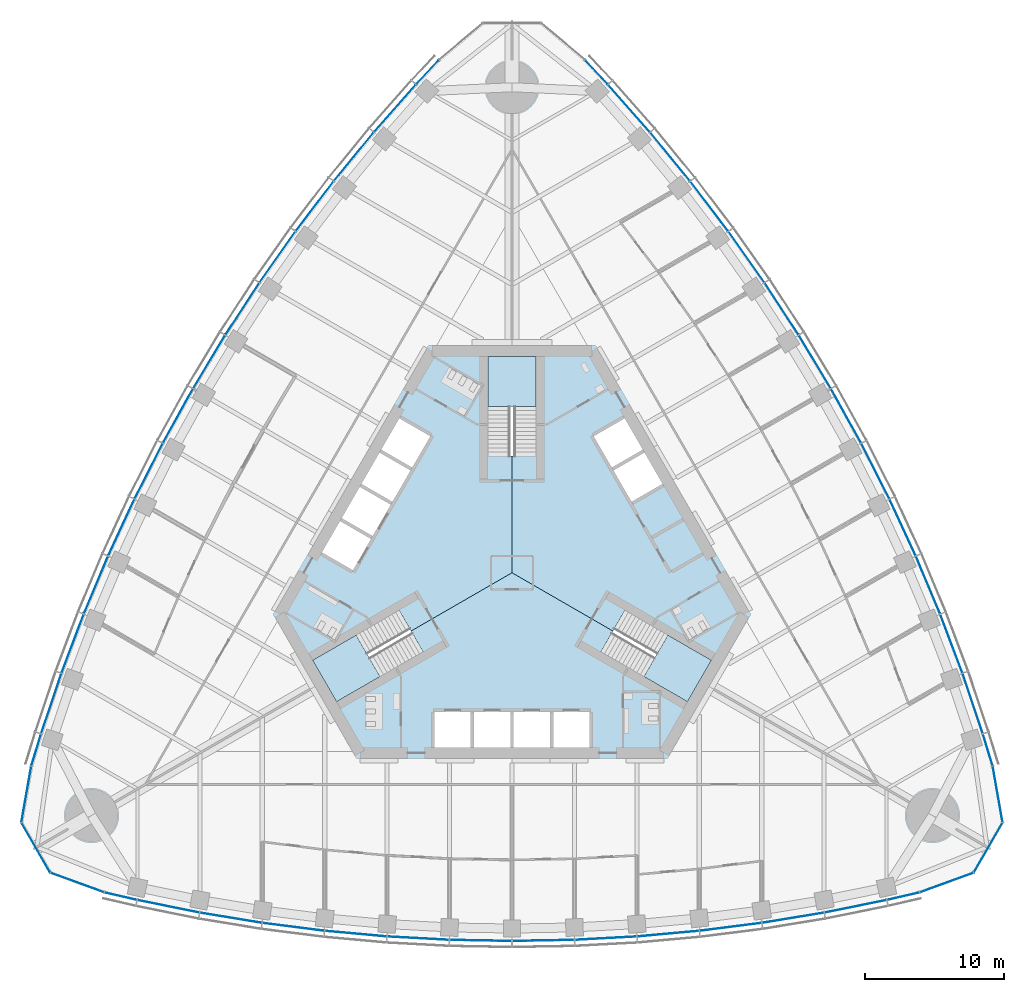
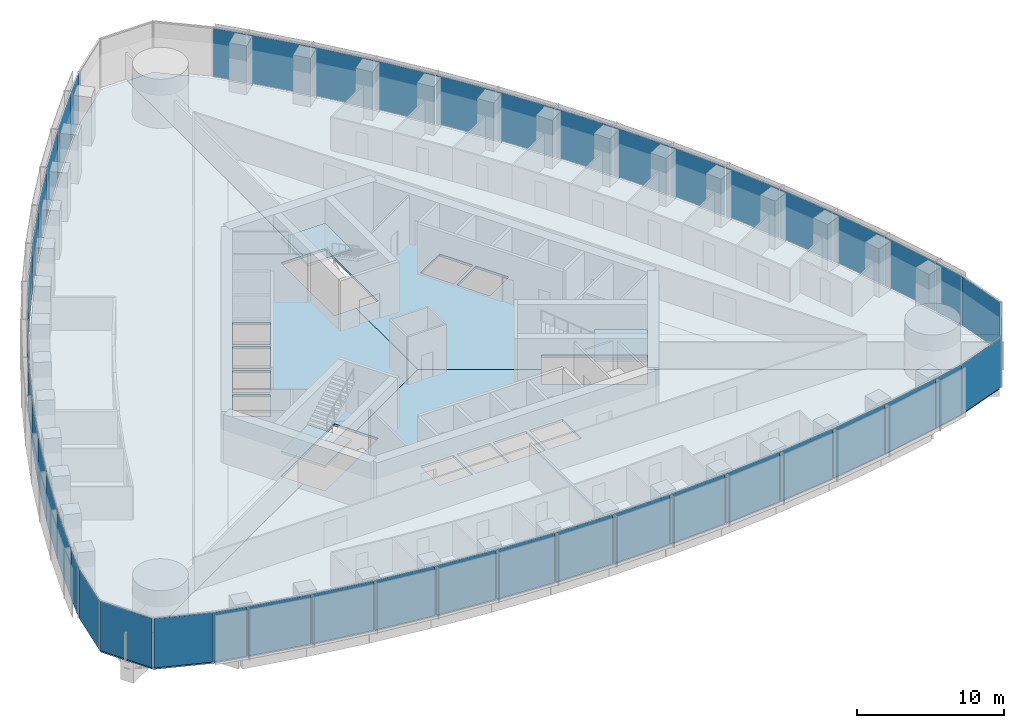
# One storey, part 10 of 21: 48 plates, 6 slabs, 8 elements without a shape of their own.
"""IFC4 building model written with IfcOpenShell, lengths in metres."""

from ifc_helpers import new_model, si_unit, direction, frame, origin, origin_2d, place, context, subcontext, project, spatial, polyline, rectangle, outline, extrude, material, layer, layer_set, type_object, element, aggregate, save


model = new_model("IFC4")

# Units and contexts
model_context = context("Model", 3, precision=1e-05, world=origin(), true_north=direction((0.0, 1.0)))
body_context = subcontext(model_context, "Body", "Model", "MODEL_VIEW")
ifc_project = project(units=[si_unit("LENGTHUNIT", "METRE"), si_unit("AREAUNIT", "SQUARE_METRE"), si_unit("VOLUMEUNIT", "CUBIC_METRE"), si_unit("PLANEANGLEUNIT", "RADIAN"), si_unit("MASSUNIT", "GRAM", prefix="KILO")], contexts=[model_context])

# Site, building, storey
site_placement = place(None, origin())
site = spatial("IfcSite", under=ifc_project, at=site_placement, CompositionType="ELEMENT")
building_placement = place(site_placement, origin())
building = spatial("IfcBuilding", under=site, at=building_placement, Name="Trefoil Bronze Tower", CompositionType="ELEMENT")
storey_placement = place(building_placement, frame((0.0, 0.0, 149.300048828125)))
storey = spatial("IfcBuildingStorey", under=building, at=storey_placement, Name="L34", CompositionType="ELEMENT", Elevation=149.300048828125)

# Curtain wall, plates
ifc_material_1 = material(Name="Tinted solar-control glass", Category="glass")
curtain_wall_type_1 = type_object("IfcCurtainWallType", Name="Bronze office curtain wall", PredefinedType="USERDEFINED", material=ifc_material_1)
curtain_wall_1_placement = place(storey_placement, origin())
curtain_wall_1 = element("IfcCurtainWall", 1, at=curtain_wall_1_placement, inside=storey, type_object=curtain_wall_type_1, Name="CW-A L34 F1", ObjectType="CURTAIN WALL", PredefinedType="USERDEFINED")
ifc_material_2 = material(Name="Tinted solar-control glass", Category="glass")
ifc_layer_1 = layer(ifc_material_2, 0.030029296875)
ifc_layer_set_1 = layer_set([ifc_layer_1], Name="Bronze office curtain wall glass panel")
plate_type_1 = type_object("IfcPlateType", Name="Bronze office curtain wall glass panel", PredefinedType="CURTAIN_PANEL", material=ifc_layer_set_1)
plate_1_placement = place(storey_placement, frame((-28.201416015625, -23.320068359375, 0.0), z_axis=(0.0, 0.0, 1.0), x_axis=(0.97420444715, -0.225667222151, 0.0)))
plate_1 = element("IfcPlate", 2, at=plate_1_placement, type_object=plate_type_1, Name="CW-A L34 F1 panel 1", PredefinedType="CURTAIN_PANEL", context=body_context, shape_type="SweptSolid", body=[
    extrude(rectangle(XDim=2.340087890625, YDim=0.030029296875, at=origin_2d()), origin(), (0.0, 0.0, 1.0), 4.080078125),
])
plate_2_placement = place(storey_placement, frame((-24.769775390625, -24.048828125, 0.0), z_axis=(0.0, 0.0, 1.0), x_axis=(0.980155155547, -0.198231861853, 0.0)))
plate_2 = element("IfcPlate", 3, at=plate_2_placement, type_object=plate_type_1, Name="CW-A L34 F1 panel 2", PredefinedType="CURTAIN_PANEL", context=body_context, shape_type="SweptSolid", body=[
    extrude(rectangle(XDim=4.51123046875, YDim=0.030029296875, at=origin_2d()), origin(), (0.0, 0.0, 1.0), 4.080078125),
])
plate_3_placement = place(storey_placement, frame((-20.26611328125, -24.87451171875, 0.0), z_axis=(0.0, 0.0, 1.0), x_axis=(0.986759655731, -0.162189339418, 0.0)))
plate_3 = element("IfcPlate", 4, at=plate_3_placement, type_object=plate_type_1, Name="CW-A L34 F1 panel 3", PredefinedType="CURTAIN_PANEL", context=body_context, shape_type="SweptSolid", body=[
    extrude(rectangle(XDim=4.48046875, YDim=0.030029296875, at=origin_2d()), origin(), (0.0, 0.0, 1.0), 4.080078125),
])
plate_4_placement = place(storey_placement, frame((-15.7626953125, -25.53076171875, 0.0), z_axis=(0.0, 0.0, 1.0), x_axis=(0.992011554286, -0.126147041833, 0.0)))
plate_4 = element("IfcPlate", 5, at=plate_4_placement, type_object=plate_type_1, Name="CW-A L34 F1 panel 4", PredefinedType="CURTAIN_PANEL", context=body_context, shape_type="SweptSolid", body=[
    extrude(rectangle(XDim=4.456298828125, YDim=0.030029296875, at=origin_2d()), origin(), (0.0, 0.0, 1.0), 4.080078125),
])
plate_5_placement = place(storey_placement, frame((-11.259033203125, -26.02099609375, 0.0), z_axis=(0.0, 0.0, 1.0), x_axis=(0.995932279146, -0.090104913044, 0.0)))
plate_5 = element("IfcPlate", 6, at=plate_5_placement, type_object=plate_type_1, Name="CW-A L34 F1 panel 5", PredefinedType="CURTAIN_PANEL", context=body_context, shape_type="SweptSolid", body=[
    extrude(rectangle(XDim=4.4384765625, YDim=0.030029296875, at=origin_2d()), origin(), (0.0, 0.0, 1.0), 4.080078125),
])
plate_6_placement = place(storey_placement, frame((-6.75537109375, -26.3466796875, 0.0), z_axis=(0.0, 0.0, 1.0), x_axis=(0.998537531923, -0.054062901701, 0.0)))
plate_6 = element("IfcPlate", 7, at=plate_6_placement, type_object=plate_type_1, Name="CW-A L34 F1 panel 6", PredefinedType="CURTAIN_PANEL", context=body_context, shape_type="SweptSolid", body=[
    extrude(rectangle(XDim=4.426513671875, YDim=0.030029296875, at=origin_2d()), origin(), (0.0, 0.0, 1.0), 4.080078125),
])
plate_7_placement = place(storey_placement, frame((-2.251708984375, -26.509033203125, 0.0), z_axis=(0.0, 0.0, 1.0), x_axis=(0.999837609322, -0.018020959612, 0.0)))
plate_7 = element("IfcPlate", 8, at=plate_7_placement, type_object=plate_type_1, Name="CW-A L34 F1 panel 7", PredefinedType="CURTAIN_PANEL", context=body_context, shape_type="SweptSolid", body=[
    extrude(rectangle(XDim=4.420654296875, YDim=0.030029296875, at=origin_2d()), origin(), (0.0, 0.0, 1.0), 4.080078125),
])
plate_8_placement = place(storey_placement, frame((2.251708984375, -26.509033203125, 0.0), z_axis=(0.0, 0.0, 1.0), x_axis=(0.999837609322, 0.018020959612, 0.0)))
plate_8 = element("IfcPlate", 9, at=plate_8_placement, type_object=plate_type_1, Name="CW-A L34 F1 panel 8", PredefinedType="CURTAIN_PANEL", context=body_context, shape_type="SweptSolid", body=[
    extrude(rectangle(XDim=4.420654296875, YDim=0.030029296875, at=origin_2d()), origin(), (0.0, 0.0, 1.0), 4.080078125),
])
plate_9_placement = place(storey_placement, frame((6.75537109375, -26.3466796875, 0.0), z_axis=(0.0, 0.0, 1.0), x_axis=(0.998537531923, 0.054062901701, 0.0)))
plate_9 = element("IfcPlate", 10, at=plate_9_placement, type_object=plate_type_1, Name="CW-A L34 F1 panel 9", PredefinedType="CURTAIN_PANEL", context=body_context, shape_type="SweptSolid", body=[
    extrude(rectangle(XDim=4.426513671875, YDim=0.030029296875, at=origin_2d()), origin(), (0.0, 0.0, 1.0), 4.080078125),
])
plate_10_placement = place(storey_placement, frame((11.259033203125, -26.02099609375, 0.0), z_axis=(0.0, 0.0, 1.0), x_axis=(0.995932279146, 0.090104913044, 0.0)))
plate_10 = element("IfcPlate", 11, at=plate_10_placement, type_object=plate_type_1, Name="CW-A L34 F1 panel 10", PredefinedType="CURTAIN_PANEL", context=body_context, shape_type="SweptSolid", body=[
    extrude(rectangle(XDim=4.4384765625, YDim=0.030029296875, at=origin_2d()), origin(), (0.0, 0.0, 1.0), 4.080078125),
])
plate_11_placement = place(storey_placement, frame((15.7626953125, -25.53076171875, 0.0), z_axis=(0.0, 0.0, 1.0), x_axis=(0.992011554286, 0.126147041833, 0.0)))
plate_11 = element("IfcPlate", 12, at=plate_11_placement, type_object=plate_type_1, Name="CW-A L34 F1 panel 11", PredefinedType="CURTAIN_PANEL", context=body_context, shape_type="SweptSolid", body=[
    extrude(rectangle(XDim=4.456298828125, YDim=0.030029296875, at=origin_2d()), origin(), (0.0, 0.0, 1.0), 4.080078125),
])
plate_12_placement = place(storey_placement, frame((20.26611328125, -24.87451171875, 0.0), z_axis=(0.0, 0.0, 1.0), x_axis=(0.986759655731, 0.162189339418, 0.0)))
plate_12 = element("IfcPlate", 13, at=plate_12_placement, type_object=plate_type_1, Name="CW-A L34 F1 panel 12", PredefinedType="CURTAIN_PANEL", context=body_context, shape_type="SweptSolid", body=[
    extrude(rectangle(XDim=4.48046875, YDim=0.030029296875, at=origin_2d()), origin(), (0.0, 0.0, 1.0), 4.080078125),
])
plate_13_placement = place(storey_placement, frame((24.769775390625, -24.048828125, 0.0), z_axis=(0.0, 0.0, 1.0), x_axis=(0.980155155547, 0.198231861853, 0.0)))
plate_13 = element("IfcPlate", 14, at=plate_13_placement, type_object=plate_type_1, Name="CW-A L34 F1 panel 13", PredefinedType="CURTAIN_PANEL", context=body_context, shape_type="SweptSolid", body=[
    extrude(rectangle(XDim=4.51123046875, YDim=0.030029296875, at=origin_2d()), origin(), (0.0, 0.0, 1.0), 4.080078125),
])
plate_14_placement = place(storey_placement, frame((28.201416015625, -23.320068359375, 0.0), z_axis=(0.0, 0.0, 1.0), x_axis=(0.97420444715, 0.225667222151, 0.0)))
plate_14 = element("IfcPlate", 15, at=plate_14_placement, type_object=plate_type_1, Name="CW-A L34 F1 panel 14", PredefinedType="CURTAIN_PANEL", context=body_context, shape_type="SweptSolid", body=[
    extrude(rectangle(XDim=2.340087890625, YDim=0.030029296875, at=origin_2d()), origin(), (0.0, 0.0, 1.0), 4.080078125),
])
aggregate(curtain_wall_1, [plate_1, plate_2, plate_3, plate_4, plate_5, plate_6, plate_7, plate_8, plate_9, plate_10, plate_11, plate_12, plate_13, plate_14])

curtain_wall_2_placement = place(storey_placement, origin())
curtain_wall_2 = element("IfcCurtainWall", 16, at=curtain_wall_2_placement, inside=storey, type_object=curtain_wall_type_1, Name="CW-A L34 F2", ObjectType="CURTAIN WALL", PredefinedType="USERDEFINED")
plate_15_placement = place(storey_placement, frame((34.296630859375, -12.762939453125, 0.0), z_axis=(0.0, 0.0, 1.0), x_axis=(-0.291668676391, 0.956519410787, 0.0)))
plate_15 = element("IfcPlate", 17, at=plate_15_placement, type_object=plate_type_1, Name="CW-A L34 F2 panel 1", PredefinedType="CURTAIN_PANEL", context=body_context, shape_type="SweptSolid", body=[
    extrude(rectangle(XDim=2.340087890625, YDim=0.030029296875, at=origin_2d()), origin(), (0.0, 0.0, 1.0), 4.080078125),
])
plate_16_placement = place(storey_placement, frame((33.2119140625, -9.4267578125, 0.0), z_axis=(0.0, 0.0, 1.0), x_axis=(-0.318403749569, 0.947955195281, 0.0)))
plate_16 = element("IfcPlate", 18, at=plate_16_placement, type_object=plate_type_1, Name="CW-A L34 F2 panel 2", PredefinedType="CURTAIN_PANEL", context=body_context, shape_type="SweptSolid", body=[
    extrude(rectangle(XDim=4.51123046875, YDim=0.030029296875, at=origin_2d()), origin(), (0.0, 0.0, 1.0), 4.080078125),
])
plate_17_placement = place(storey_placement, frame((31.675048828125, -5.11376953125, 0.0), z_axis=(0.0, 0.0, 1.0), x_axis=(-0.352919739707, 0.935653599002, 0.0)))
plate_17 = element("IfcPlate", 19, at=plate_17_placement, type_object=plate_type_1, Name="CW-A L34 F2 panel 3", PredefinedType="CURTAIN_PANEL", context=body_context, shape_type="SweptSolid", body=[
    extrude(rectangle(XDim=4.48046875, YDim=0.030029296875, at=origin_2d()), origin(), (0.0, 0.0, 1.0), 4.080078125),
])
plate_18_placement = place(storey_placement, frame((29.99169921875, -0.885498046875, 0.0), z_axis=(0.0, 0.0, 1.0), x_axis=(-0.386759234303, 0.922180727776, 0.0)))
plate_18 = element("IfcPlate", 20, at=plate_18_placement, type_object=plate_type_1, Name="CW-A L34 F2 panel 4", PredefinedType="CURTAIN_PANEL", context=body_context, shape_type="SweptSolid", body=[
    extrude(rectangle(XDim=4.456298828125, YDim=0.030029296875, at=origin_2d()), origin(), (0.0, 0.0, 1.0), 4.080078125),
])
plate_19_placement = place(storey_placement, frame((28.164306640625, 3.260009765625, 0.0), z_axis=(0.0, 0.0, 1.0), x_axis=(-0.419932995871, 0.907555110712, 0.0)))
plate_19 = element("IfcPlate", 21, at=plate_19_placement, type_object=plate_type_1, Name="CW-A L34 F2 panel 5", PredefinedType="CURTAIN_PANEL", context=body_context, shape_type="SweptSolid", body=[
    extrude(rectangle(XDim=4.4384765625, YDim=0.030029296875, at=origin_2d()), origin(), (0.0, 0.0, 1.0), 4.080078125),
])
plate_20_placement = place(storey_placement, frame((26.194580078125, 7.322998046875, 0.0), z_axis=(0.0, 0.0, 1.0), x_axis=(-0.452448919686, 0.891790320128, 0.0)))
plate_20 = element("IfcPlate", 22, at=plate_20_placement, type_object=plate_type_1, Name="CW-A L34 F2 panel 6", PredefinedType="CURTAIN_PANEL", context=body_context, shape_type="SweptSolid", body=[
    extrude(rectangle(XDim=4.426513671875, YDim=0.030029296875, at=origin_2d()), origin(), (0.0, 0.0, 1.0), 4.080078125),
])
plate_21_placement = place(storey_placement, frame((24.08349609375, 11.304443359375, 0.0), z_axis=(0.0, 0.0, 1.0), x_axis=(-0.484312195836, 0.874895249138, 0.0)))
plate_21 = element("IfcPlate", 23, at=plate_21_placement, type_object=plate_type_1, Name="CW-A L34 F2 panel 7", PredefinedType="CURTAIN_PANEL", context=body_context, shape_type="SweptSolid", body=[
    extrude(rectangle(XDim=4.420654296875, YDim=0.030029296875, at=origin_2d()), origin(), (0.0, 0.0, 1.0), 4.080078125),
])
plate_22_placement = place(storey_placement, frame((21.83154296875, 15.20458984375, 0.0), z_axis=(0.0, 0.0, 1.0), x_axis=(-0.515525413486, 0.856874289526, 0.0)))
plate_22 = element("IfcPlate", 24, at=plate_22_placement, type_object=plate_type_1, Name="CW-A L34 F2 panel 8", PredefinedType="CURTAIN_PANEL", context=body_context, shape_type="SweptSolid", body=[
    extrude(rectangle(XDim=4.420654296875, YDim=0.030029296875, at=origin_2d()), origin(), (0.0, 0.0, 1.0), 4.080078125),
])
plate_23_placement = place(storey_placement, frame((19.439208984375, 19.023681640625, 0.0), z_axis=(0.0, 0.0, 1.0), x_axis=(-0.546088612237, 0.837727418427, 0.0)))
plate_23 = element("IfcPlate", 25, at=plate_23_placement, type_object=plate_type_1, Name="CW-A L34 F2 panel 9", PredefinedType="CURTAIN_PANEL", context=body_context, shape_type="SweptSolid", body=[
    extrude(rectangle(XDim=4.426513671875, YDim=0.030029296875, at=origin_2d()), origin(), (0.0, 0.0, 1.0), 4.080078125),
])
plate_24_placement = place(storey_placement, frame((16.9052734375, 22.760986328125, 0.0), z_axis=(0.0, 0.0, 1.0), x_axis=(-0.575999283275, 0.817450197667, 0.0)))
plate_24 = element("IfcPlate", 26, at=plate_24_placement, type_object=plate_type_1, Name="CW-A L34 F2 panel 10", PredefinedType="CURTAIN_PANEL", context=body_context, shape_type="SweptSolid", body=[
    extrude(rectangle(XDim=4.4384765625, YDim=0.030029296875, at=origin_2d()), origin(), (0.0, 0.0, 1.0), 4.080078125),
])
plate_25_placement = place(storey_placement, frame((14.22900390625, 26.416259765625, 0.0), z_axis=(0.0, 0.0, 1.0), x_axis=(-0.605252319983, 0.796033685943, 0.0)))
plate_25 = element("IfcPlate", 27, at=plate_25_placement, type_object=plate_type_1, Name="CW-A L34 F2 panel 11", PredefinedType="CURTAIN_PANEL", context=body_context, shape_type="SweptSolid", body=[
    extrude(rectangle(XDim=4.456298828125, YDim=0.030029296875, at=origin_2d()), origin(), (0.0, 0.0, 1.0), 4.080078125),
])
plate_26_placement = place(storey_placement, frame((11.40869140625, 29.98828125, 0.0), z_axis=(0.0, 0.0, 1.0), x_axis=(-0.633839916024, 0.773464259584, 0.0)))
plate_26 = element("IfcPlate", 28, at=plate_26_placement, type_object=plate_type_1, Name="CW-A L34 F2 panel 12", PredefinedType="CURTAIN_PANEL", context=body_context, shape_type="SweptSolid", body=[
    extrude(rectangle(XDim=4.48046875, YDim=0.030029296875, at=origin_2d()), origin(), (0.0, 0.0, 1.0), 4.080078125),
])
plate_27_placement = place(storey_placement, frame((8.442138671875, 33.475830078125, 0.0), z_axis=(0.0, 0.0, 1.0), x_axis=(-0.661751405978, 0.749723333428, 0.0)))
plate_27 = element("IfcPlate", 29, at=plate_27_placement, type_object=plate_type_1, Name="CW-A L34 F2 panel 13", PredefinedType="CURTAIN_PANEL", context=body_context, shape_type="SweptSolid", body=[
    extrude(rectangle(XDim=4.51123046875, YDim=0.030029296875, at=origin_2d()), origin(), (0.0, 0.0, 1.0), 4.080078125),
])
plate_28_placement = place(storey_placement, frame((6.09521484375, 36.083251953125, 0.0), z_axis=(0.0, 0.0, 1.0), x_axis=(-0.682535770759, 0.730852188636, 0.0)))
plate_28 = element("IfcPlate", 30, at=plate_28_placement, type_object=plate_type_1, Name="CW-A L34 F2 panel 14", PredefinedType="CURTAIN_PANEL", context=body_context, shape_type="SweptSolid", body=[
    extrude(rectangle(XDim=2.340087890625, YDim=0.030029296875, at=origin_2d()), origin(), (0.0, 0.0, 1.0), 4.080078125),
])
aggregate(curtain_wall_2, [plate_15, plate_16, plate_17, plate_18, plate_19, plate_20, plate_21, plate_22, plate_23, plate_24, plate_25, plate_26, plate_27, plate_28])

curtain_wall_3_placement = place(storey_placement, origin())
curtain_wall_3 = element("IfcCurtainWall", 31, at=curtain_wall_3_placement, inside=storey, type_object=curtain_wall_type_1, Name="CW-A L34 F3", ObjectType="CURTAIN WALL", PredefinedType="USERDEFINED")
plate_29_placement = place(storey_placement, frame((-6.09521484375, 36.083251953125, 0.0), z_axis=(0.0, 0.0, 1.0), x_axis=(-0.682535770759, -0.730852188636, 0.0)))
plate_29 = element("IfcPlate", 32, at=plate_29_placement, type_object=plate_type_1, Name="CW-A L34 F3 panel 1", PredefinedType="CURTAIN_PANEL", context=body_context, shape_type="SweptSolid", body=[
    extrude(rectangle(XDim=2.340087890625, YDim=0.030029296875, at=origin_2d()), origin(), (0.0, 0.0, 1.0), 4.080078125),
])
plate_30_placement = place(storey_placement, frame((-8.442138671875, 33.475830078125, 0.0), z_axis=(0.0, 0.0, 1.0), x_axis=(-0.661751405978, -0.749723333428, 0.0)))
plate_30 = element("IfcPlate", 33, at=plate_30_placement, type_object=plate_type_1, Name="CW-A L34 F3 panel 2", PredefinedType="CURTAIN_PANEL", context=body_context, shape_type="SweptSolid", body=[
    extrude(rectangle(XDim=4.51123046875, YDim=0.030029296875, at=origin_2d()), origin(), (0.0, 0.0, 1.0), 4.080078125),
])
plate_31_placement = place(storey_placement, frame((-11.40869140625, 29.98828125, 0.0), z_axis=(0.0, 0.0, 1.0), x_axis=(-0.633839916024, -0.773464259584, 0.0)))
plate_31 = element("IfcPlate", 34, at=plate_31_placement, type_object=plate_type_1, Name="CW-A L34 F3 panel 3", PredefinedType="CURTAIN_PANEL", context=body_context, shape_type="SweptSolid", body=[
    extrude(rectangle(XDim=4.48046875, YDim=0.030029296875, at=origin_2d()), origin(), (0.0, 0.0, 1.0), 4.080078125),
])
plate_32_placement = place(storey_placement, frame((-14.22900390625, 26.416259765625, 0.0), z_axis=(0.0, 0.0, 1.0), x_axis=(-0.605252319983, -0.796033685943, 0.0)))
plate_32 = element("IfcPlate", 35, at=plate_32_placement, type_object=plate_type_1, Name="CW-A L34 F3 panel 4", PredefinedType="CURTAIN_PANEL", context=body_context, shape_type="SweptSolid", body=[
    extrude(rectangle(XDim=4.456298828125, YDim=0.030029296875, at=origin_2d()), origin(), (0.0, 0.0, 1.0), 4.080078125),
])
plate_33_placement = place(storey_placement, frame((-16.9052734375, 22.760986328125, 0.0), z_axis=(0.0, 0.0, 1.0), x_axis=(-0.575999283275, -0.817450197667, 0.0)))
plate_33 = element("IfcPlate", 36, at=plate_33_placement, type_object=plate_type_1, Name="CW-A L34 F3 panel 5", PredefinedType="CURTAIN_PANEL", context=body_context, shape_type="SweptSolid", body=[
    extrude(rectangle(XDim=4.4384765625, YDim=0.030029296875, at=origin_2d()), origin(), (0.0, 0.0, 1.0), 4.080078125),
])
plate_34_placement = place(storey_placement, frame((-19.439208984375, 19.023681640625, 0.0), z_axis=(0.0, 0.0, 1.0), x_axis=(-0.546088612237, -0.837727418427, 0.0)))
plate_34 = element("IfcPlate", 37, at=plate_34_placement, type_object=plate_type_1, Name="CW-A L34 F3 panel 6", PredefinedType="CURTAIN_PANEL", context=body_context, shape_type="SweptSolid", body=[
    extrude(rectangle(XDim=4.426513671875, YDim=0.030029296875, at=origin_2d()), origin(), (0.0, 0.0, 1.0), 4.080078125),
])
plate_35_placement = place(storey_placement, frame((-21.83154296875, 15.20458984375, 0.0), z_axis=(0.0, 0.0, 1.0), x_axis=(-0.515525413486, -0.856874289526, 0.0)))
plate_35 = element("IfcPlate", 38, at=plate_35_placement, type_object=plate_type_1, Name="CW-A L34 F3 panel 7", PredefinedType="CURTAIN_PANEL", context=body_context, shape_type="SweptSolid", body=[
    extrude(rectangle(XDim=4.420654296875, YDim=0.030029296875, at=origin_2d()), origin(), (0.0, 0.0, 1.0), 4.080078125),
])
plate_36_placement = place(storey_placement, frame((-24.08349609375, 11.304443359375, 0.0), z_axis=(0.0, 0.0, 1.0), x_axis=(-0.484312195836, -0.874895249138, 0.0)))
plate_36 = element("IfcPlate", 39, at=plate_36_placement, type_object=plate_type_1, Name="CW-A L34 F3 panel 8", PredefinedType="CURTAIN_PANEL", context=body_context, shape_type="SweptSolid", body=[
    extrude(rectangle(XDim=4.420654296875, YDim=0.030029296875, at=origin_2d()), origin(), (0.0, 0.0, 1.0), 4.080078125),
])
plate_37_placement = place(storey_placement, frame((-26.194580078125, 7.322998046875, 0.0), z_axis=(0.0, 0.0, 1.0), x_axis=(-0.452448919686, -0.891790320128, 0.0)))
plate_37 = element("IfcPlate", 40, at=plate_37_placement, type_object=plate_type_1, Name="CW-A L34 F3 panel 9", PredefinedType="CURTAIN_PANEL", context=body_context, shape_type="SweptSolid", body=[
    extrude(rectangle(XDim=4.426513671875, YDim=0.030029296875, at=origin_2d()), origin(), (0.0, 0.0, 1.0), 4.080078125),
])
plate_38_placement = place(storey_placement, frame((-28.164306640625, 3.260009765625, 0.0), z_axis=(0.0, 0.0, 1.0), x_axis=(-0.419932995871, -0.907555110712, 0.0)))
plate_38 = element("IfcPlate", 41, at=plate_38_placement, type_object=plate_type_1, Name="CW-A L34 F3 panel 10", PredefinedType="CURTAIN_PANEL", context=body_context, shape_type="SweptSolid", body=[
    extrude(rectangle(XDim=4.4384765625, YDim=0.030029296875, at=origin_2d()), origin(), (0.0, 0.0, 1.0), 4.080078125),
])
plate_39_placement = place(storey_placement, frame((-29.99169921875, -0.885498046875, 0.0), z_axis=(0.0, 0.0, 1.0), x_axis=(-0.386759234303, -0.922180727776, 0.0)))
plate_39 = element("IfcPlate", 42, at=plate_39_placement, type_object=plate_type_1, Name="CW-A L34 F3 panel 11", PredefinedType="CURTAIN_PANEL", context=body_context, shape_type="SweptSolid", body=[
    extrude(rectangle(XDim=4.456298828125, YDim=0.030029296875, at=origin_2d()), origin(), (0.0, 0.0, 1.0), 4.080078125),
])
plate_40_placement = place(storey_placement, frame((-31.675048828125, -5.11376953125, 0.0), z_axis=(0.0, 0.0, 1.0), x_axis=(-0.352919739707, -0.935653599002, 0.0)))
plate_40 = element("IfcPlate", 43, at=plate_40_placement, type_object=plate_type_1, Name="CW-A L34 F3 panel 12", PredefinedType="CURTAIN_PANEL", context=body_context, shape_type="SweptSolid", body=[
    extrude(rectangle(XDim=4.48046875, YDim=0.030029296875, at=origin_2d()), origin(), (0.0, 0.0, 1.0), 4.080078125),
])
plate_41_placement = place(storey_placement, frame((-33.2119140625, -9.4267578125, 0.0), z_axis=(0.0, 0.0, 1.0), x_axis=(-0.318403749569, -0.947955195281, 0.0)))
plate_41 = element("IfcPlate", 44, at=plate_41_placement, type_object=plate_type_1, Name="CW-A L34 F3 panel 13", PredefinedType="CURTAIN_PANEL", context=body_context, shape_type="SweptSolid", body=[
    extrude(rectangle(XDim=4.51123046875, YDim=0.030029296875, at=origin_2d()), origin(), (0.0, 0.0, 1.0), 4.080078125),
])
plate_42_placement = place(storey_placement, frame((-34.296630859375, -12.762939453125, 0.0), z_axis=(0.0, 0.0, 1.0), x_axis=(-0.291668676391, -0.956519410787, 0.0)))
plate_42 = element("IfcPlate", 45, at=plate_42_placement, type_object=plate_type_1, Name="CW-A L34 F3 panel 14", PredefinedType="CURTAIN_PANEL", context=body_context, shape_type="SweptSolid", body=[
    extrude(rectangle(XDim=2.340087890625, YDim=0.030029296875, at=origin_2d()), origin(), (0.0, 0.0, 1.0), 4.080078125),
])
aggregate(curtain_wall_3, [plate_29, plate_30, plate_31, plate_32, plate_33, plate_34, plate_35, plate_36, plate_37, plate_38, plate_39, plate_40, plate_41, plate_42])

ifc_material_3 = material(Name="Tinted solar-control glass", Category="glass")
curtain_wall_type_2 = type_object("IfcCurtainWallType", Name="Bronze rounded corner curtain wall", PredefinedType="USERDEFINED", material=ifc_material_3)
curtain_wall_4_placement = place(storey_placement, origin())
curtain_wall_4 = element("IfcCurtainWall", 46, at=curtain_wall_4_placement, inside=storey, type_object=curtain_wall_type_2, Name="CW-B L34 K1", ObjectType="CURTAIN WALL", PredefinedType="USERDEFINED")
ifc_material_4 = material(Name="Tinted solar-control glass", Category="glass")
ifc_layer_2 = layer(ifc_material_4, 0.030029296875)
ifc_layer_set_2 = layer_set([ifc_layer_2], Name="Bronze rounded corner curtain wall glass panel")
plate_type_2 = type_object("IfcPlateType", Name="Bronze rounded corner curtain wall glass panel", PredefinedType="CURTAIN_PANEL", material=ifc_layer_set_2)
plate_43_placement = place(storey_placement, frame((31.3203125, -22.341796875, 0.0), z_axis=(0.0, 0.0, 1.0), x_axis=(0.939692620786, 0.342020143326, 0.0)))
plate_43 = element("IfcPlate", 47, at=plate_43_placement, type_object=plate_type_2, Name="CW-B L34 K1 panel 1", PredefinedType="CURTAIN_PANEL", context=body_context, shape_type="SweptSolid", body=[
    extrude(rectangle(XDim=4.044189453125, YDim=0.030029296875, at=origin_2d()), origin(), (0.0, 0.0, 1.0), 4.080078125),
])
plate_44_placement = place(storey_placement, frame((34.3271484375, -19.81884765625, 0.0), z_axis=(0.0, 0.0, 1.0), x_axis=(0.5, 0.866025403784, 0.0)))
plate_44 = element("IfcPlate", 48, at=plate_44_placement, type_object=plate_type_2, Name="CW-B L34 K1 panel 2", PredefinedType="CURTAIN_PANEL", context=body_context, shape_type="SweptSolid", body=[
    extrude(rectangle(XDim=4.044189453125, YDim=0.030029296875, at=origin_2d()), origin(), (0.0, 0.0, 1.0), 4.080078125),
])
plate_45_placement = place(storey_placement, frame((35.0087890625, -15.953369140625, 0.0), z_axis=(0.0, 0.0, 1.0), x_axis=(-0.173648177667, 0.984807753012, 0.0)))
plate_45 = element("IfcPlate", 49, at=plate_45_placement, type_object=plate_type_2, Name="CW-B L34 K1 panel 3", PredefinedType="CURTAIN_PANEL", context=body_context, shape_type="SweptSolid", body=[
    extrude(rectangle(XDim=4.044189453125, YDim=0.030029296875, at=origin_2d()), origin(), (0.0, 0.0, 1.0), 4.080078125),
])
aggregate(curtain_wall_4, [plate_43, plate_44, plate_45])

curtain_wall_5_placement = place(storey_placement, origin())
curtain_wall_5 = element("IfcCurtainWall", 50, at=curtain_wall_5_placement, inside=storey, type_object=curtain_wall_type_2, Name="CW-B L34 K3", ObjectType="CURTAIN WALL", PredefinedType="USERDEFINED")
plate_46_placement = place(storey_placement, frame((-35.0087890625, -15.953369140625, 0.0), z_axis=(0.0, 0.0, 1.0), x_axis=(-0.173648177667, -0.984807753012, 0.0)))
plate_46 = element("IfcPlate", 51, at=plate_46_placement, type_object=plate_type_2, Name="CW-B L34 K3 panel 1", PredefinedType="CURTAIN_PANEL", context=body_context, shape_type="SweptSolid", body=[
    extrude(rectangle(XDim=4.044189453125, YDim=0.030029296875, at=origin_2d()), origin(), (0.0, 0.0, 1.0), 4.080078125),
])
plate_47_placement = place(storey_placement, frame((-34.3271484375, -19.81884765625, 0.0), z_axis=(0.0, 0.0, 1.0), x_axis=(0.5, -0.866025403784, 0.0)))
plate_47 = element("IfcPlate", 52, at=plate_47_placement, type_object=plate_type_2, Name="CW-B L34 K3 panel 2", PredefinedType="CURTAIN_PANEL", context=body_context, shape_type="SweptSolid", body=[
    extrude(rectangle(XDim=4.044189453125, YDim=0.030029296875, at=origin_2d()), origin(), (0.0, 0.0, 1.0), 4.080078125),
])
plate_48_placement = place(storey_placement, frame((-31.3203125, -22.341796875, 0.0), z_axis=(0.0, 0.0, 1.0), x_axis=(0.939692620786, -0.342020143326, 0.0)))
plate_48 = element("IfcPlate", 53, at=plate_48_placement, type_object=plate_type_2, Name="CW-B L34 K3 panel 3", PredefinedType="CURTAIN_PANEL", context=body_context, shape_type="SweptSolid", body=[
    extrude(rectangle(XDim=4.044189453125, YDim=0.030029296875, at=origin_2d()), origin(), (0.0, 0.0, 1.0), 4.080078125),
])
aggregate(curtain_wall_5, [plate_46, plate_47, plate_48])

# Slabs
ifc_material_5 = material(Name="Concrete B30", Category="concrete")
ifc_layer_3 = layer(ifc_material_5, 0.199951171875)
ifc_layer_set_3 = layer_set([ifc_layer_3], Name="Floor slab 200")
slab_type_1 = type_object("IfcSlabType", Name="Floor slab 200", PredefinedType="FLOOR", material=ifc_layer_set_3)
slab_1_placement = place(storey_placement, frame((0.0, 0.0, -0.199951171875)))
element("IfcSlab", 54, at=slab_1_placement, inside=storey, type_object=slab_type_1, Name="Floor slab L34 face 1", PredefinedType="FLOOR", context=body_context, shape_type="SweptSolid", body=[
    extrude(outline(polyline([(22.5, -24.406005859375), (18.0, -25.1455078125), (13.5, -25.7177734375), (9.0, -26.125), (4.5, -26.36865234375), (0.0, -26.44970703125), (-4.5, -26.36865234375), (-9.0, -26.125), (-13.5, -25.7177734375), (-18.0, -25.1455078125), (-22.5, -24.406005859375), (-27.0, -23.495849609375), (-29.357666015625, -22.94970703125), (-33.21435546875, -21.5458984375), (-34.240478515625, -19.768798828125), (-13.510009765625, -7.800048828125), (-12.6474609375, -9.2939453125), (-6.412109375, -5.69384765625), (-7.274658203125, -4.199951171875), (0.0, 0.0), (7.274658203125, -4.199951171875), (6.412109375, -5.69384765625), (12.6474609375, -9.2939453125), (13.510009765625, -7.800048828125), (34.240478515625, -19.768798828125), (33.21435546875, -21.5458984375), (29.357666015625, -22.94970703125), (27.0, -23.495849609375), (22.5, -24.406005859375)]), holes=[polyline([(-5.574951171875, -10.02490234375), (-2.97509765625, -10.02490234375), (-2.97509765625, -12.60009765625), (-5.574951171875, -12.60009765625), (-5.574951171875, -10.02490234375)]), polyline([(-2.72509765625, -10.02490234375), (-0.125, -10.02490234375), (-0.125, -12.60009765625), (-2.72509765625, -12.60009765625), (-2.72509765625, -10.02490234375)]), polyline([(0.125, -10.02490234375), (2.72509765625, -10.02490234375), (2.72509765625, -12.60009765625), (0.125, -12.60009765625), (0.125, -10.02490234375)]), polyline([(2.97509765625, -10.02490234375), (5.574951171875, -10.02490234375), (5.574951171875, -12.60009765625), (2.97509765625, -12.60009765625), (2.97509765625, -10.02490234375)])]), origin(), (0.0, 0.0, 1.0), 0.199951171875),
])
slab_2_placement = place(storey_placement, frame((0.0, 0.0, -0.199951171875)))
element("IfcSlab", 55, at=slab_2_placement, inside=storey, type_object=slab_type_1, Name="Floor slab L34 face 2", PredefinedType="FLOOR", context=body_context, shape_type="SweptSolid", body=[
    extrude(outline(polyline([(9.88623046875, 31.6884765625), (12.776611328125, 28.1611328125), (15.522216796875, 24.55029296875), (18.124755859375, 20.856689453125), (20.5859375, 17.081298828125), (22.906005859375, 13.224853515625), (25.0859375, 9.287109375), (27.124755859375, 5.268310546875), (29.022216796875, 1.16748046875), (30.776611328125, -3.015625), (32.38623046875, -7.28271484375), (33.847900390625, -11.634765625), (34.553955078125, -13.94970703125), (35.2666015625, -17.991455078125), (34.240478515625, -19.768798828125), (13.510009765625, -7.800048828125), (14.37255859375, -6.30615234375), (8.13720703125, -2.7060546875), (7.274658203125, -4.199951171875), (0.0, 0.0), (0.0, 8.39990234375), (1.72509765625, 8.39990234375), (1.72509765625, 15.60009765625), (0.0, 15.60009765625), (0.0, 39.53759765625), (2.052001953125, 39.53759765625), (5.196044921875, 36.8994140625), (6.847900390625, 35.130615234375), (9.88623046875, 31.6884765625)]), holes=[polyline([(8.619384765625, 5.120849609375), (7.3193359375, 7.372314453125), (9.54931640625, 8.659912109375), (10.849365234375, 6.408203125), (8.619384765625, 5.120849609375)]), polyline([(7.1943359375, 7.5888671875), (5.894287109375, 9.840576171875), (8.12451171875, 11.128173828125), (9.42431640625, 8.87646484375), (7.1943359375, 7.5888671875)])]), origin(), (0.0, 0.0, 1.0), 0.199951171875),
])
slab_3_placement = place(storey_placement, frame((0.0, 0.0, -0.199951171875)))
element("IfcSlab", 56, at=slab_3_placement, inside=storey, type_object=slab_type_1, Name="Floor slab L34 face 3", PredefinedType="FLOOR", context=body_context, shape_type="SweptSolid", body=[
    extrude(outline(polyline([(-32.38623046875, -7.28271484375), (-30.776611328125, -3.015625), (-29.022216796875, 1.16748046875), (-27.124755859375, 5.268310546875), (-25.0859375, 9.287109375), (-22.906005859375, 13.224853515625), (-20.5859375, 17.081298828125), (-18.124755859375, 20.856689453125), (-15.522216796875, 24.55029296875), (-12.776611328125, 28.1611328125), (-9.88623046875, 31.6884765625), (-6.847900390625, 35.130615234375), (-5.196044921875, 36.8994140625), (-2.052001953125, 39.53759765625), (0.0, 39.53759765625), (0.0, 15.60009765625), (-1.72509765625, 15.60009765625), (-1.72509765625, 8.39990234375), (0.0, 8.39990234375), (0.0, 0.0), (-7.274658203125, -4.199951171875), (-8.13720703125, -2.7060546875), (-14.37255859375, -6.30615234375), (-13.510009765625, -7.800048828125), (-34.240478515625, -19.768798828125), (-35.2666015625, -17.991455078125), (-34.553955078125, -13.94970703125), (-33.847900390625, -11.634765625), (-32.38623046875, -7.28271484375)]), holes=[polyline([(-5.894287109375, 9.840576171875), (-7.1943359375, 7.5888671875), (-9.42431640625, 8.87646484375), (-8.12451171875, 11.128173828125), (-5.894287109375, 9.840576171875)]), polyline([(-7.3193359375, 7.372314453125), (-8.619384765625, 5.120849609375), (-10.849365234375, 6.408203125), (-9.54931640625, 8.659912109375), (-7.3193359375, 7.372314453125)]), polyline([(-8.744384765625, 4.904296875), (-10.04443359375, 2.652587890625), (-12.2744140625, 3.940185546875), (-10.974365234375, 6.191650390625), (-8.744384765625, 4.904296875)]), polyline([(-10.16943359375, 2.43603515625), (-11.469482421875, 0.184326171875), (-13.699462890625, 1.471923828125), (-12.3994140625, 3.7236328125), (-10.16943359375, 2.43603515625)])]), origin(), (0.0, 0.0, 1.0), 0.199951171875),
])

# Stair, slab
ifc_material_6 = material(Name="Precast concrete B80", Category="concrete")
stair_type = type_object("IfcStairType", Name="Exit stair 26 risers", PredefinedType="HALF_TURN_STAIR", material=ifc_material_6)
stair_1_placement = place(storey_placement, origin())
stair_1 = element("IfcStair", 57, at=stair_1_placement, inside=storey, type_object=stair_type, Name="Stair ST1 L34", PredefinedType="HALF_TURN_STAIR")
ifc_material_7 = material(Name="Concrete B30", Category="concrete")
ifc_layer_4 = layer(ifc_material_7, 0.199951171875)
ifc_layer_set_4 = layer_set([ifc_layer_4], Name="Stair landing 200")
slab_type_2 = type_object("IfcSlabType", Name="Stair landing 200", PredefinedType="LANDING", material=ifc_layer_set_4)
slab_4_placement = place(storey_placement, frame((0.0, 0.0, 1.89990234375)))
slab_4 = element("IfcSlab", 58, at=slab_4_placement, type_object=slab_type_2, Name="ST1 landing 1", PredefinedType="LANDING", context=body_context, shape_type="SweptSolid", body=[
    extrude(outline(polyline([(9.512451171875, -7.48388671875), (12.6474609375, -9.2939453125), (14.37255859375, -6.30615234375), (11.237548828125, -4.49609375), (9.512451171875, -7.48388671875)])), origin(), (0.0, 0.0, 1.0), 0.199951171875),
])
aggregate(stair_1, [slab_4])

stair_2_placement = place(storey_placement, origin())
stair_2 = element("IfcStair", 59, at=stair_2_placement, inside=storey, type_object=stair_type, Name="Stair ST2 L34", PredefinedType="HALF_TURN_STAIR")
slab_5_placement = place(storey_placement, frame((0.0, 0.0, 1.89990234375)))
slab_5 = element("IfcSlab", 60, at=slab_5_placement, type_object=slab_type_2, Name="ST2 landing 1", PredefinedType="LANDING", context=body_context, shape_type="SweptSolid", body=[
    extrude(outline(polyline([(1.72509765625, 11.97998046875), (1.72509765625, 15.60009765625), (-1.72509765625, 15.60009765625), (-1.72509765625, 11.97998046875), (1.72509765625, 11.97998046875)])), origin(), (0.0, 0.0, 1.0), 0.199951171875),
])
aggregate(stair_2, [slab_5])

stair_3_placement = place(storey_placement, origin())
stair_3 = element("IfcStair", 61, at=stair_3_placement, inside=storey, type_object=stair_type, Name="Stair ST3 L34", PredefinedType="HALF_TURN_STAIR")
slab_6_placement = place(storey_placement, frame((0.0, 0.0, 1.89990234375)))
slab_6 = element("IfcSlab", 62, at=slab_6_placement, type_object=slab_type_2, Name="ST3 landing 1", PredefinedType="LANDING", context=body_context, shape_type="SweptSolid", body=[
    extrude(outline(polyline([(-11.237548828125, -4.49609375), (-14.37255859375, -6.30615234375), (-12.6474609375, -9.2939453125), (-9.512451171875, -7.48388671875), (-11.237548828125, -4.49609375)])), origin(), (0.0, 0.0, 1.0), 0.199951171875),
])
aggregate(stair_3, [slab_6])

save(model, "model.ifc")
